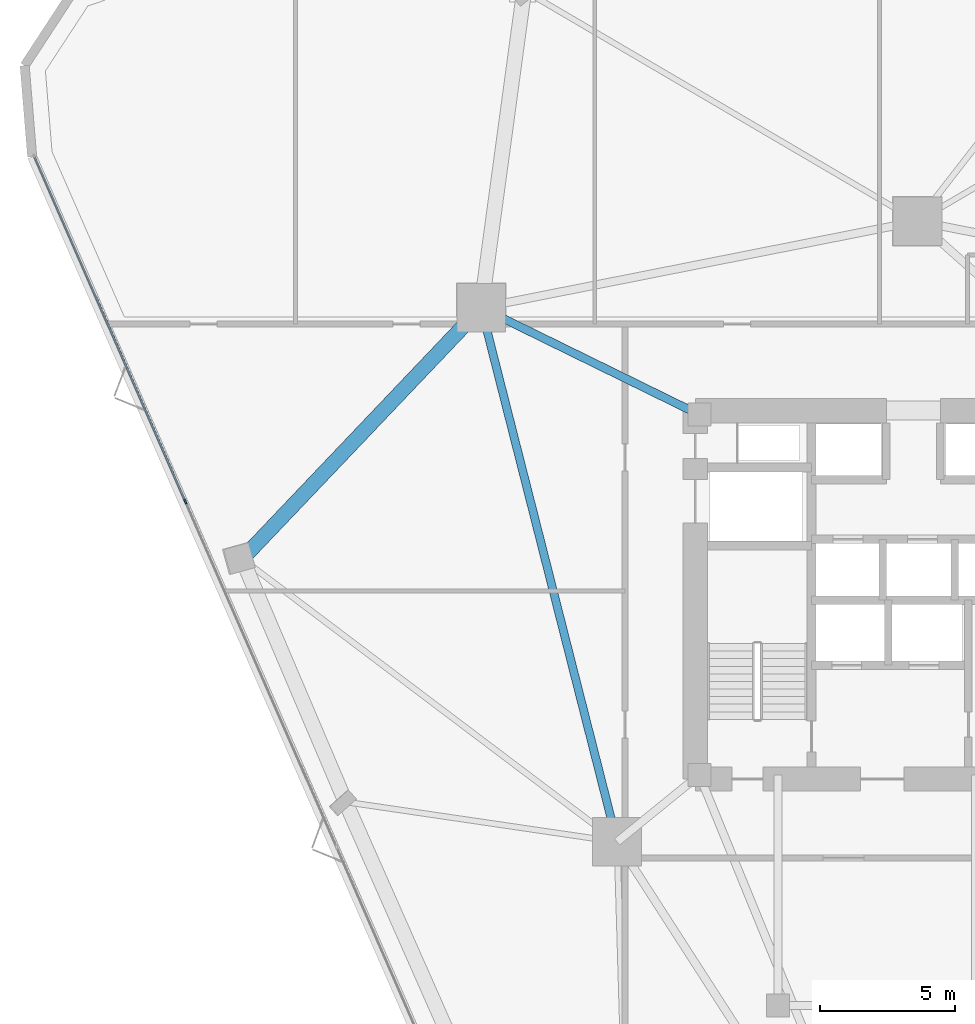
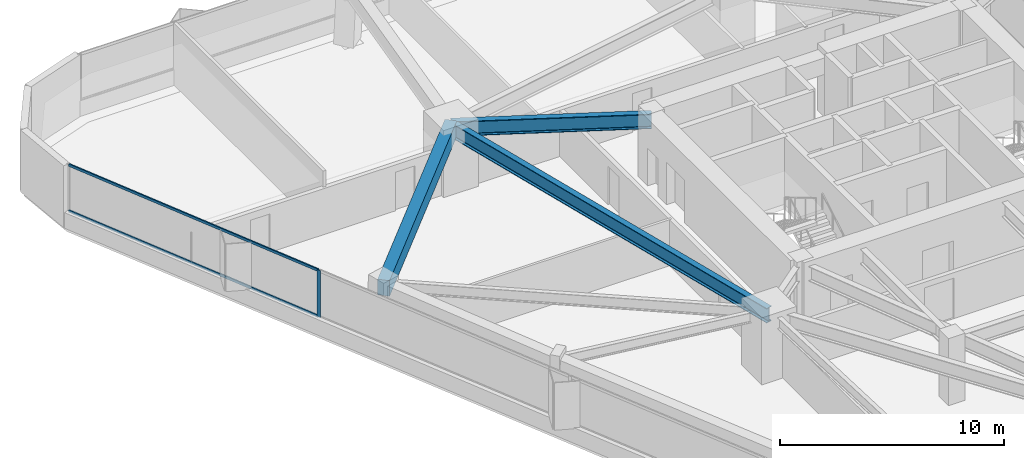
# One storey, part 8 of 21: 3 beams, 3 members, 1 element without a shape of its own.
"""IFC4 building model written with IfcOpenShell, lengths in metres."""

from ifc_helpers import new_model, si_unit, direction, frame, origin, origin_2d, place, context, subcontext, project, spatial, rectangle, i_section, extrude, material, layer, layer_set, material_profile, profile_set, type_object, element, aggregate, save


model = new_model("IFC4")

# Units and contexts
model_context = context("Model", 3, precision=1e-05, world=origin(), true_north=direction((0.0, 1.0)))
body_context = subcontext(model_context, "Body", "Model", "MODEL_VIEW")
ifc_project = project(units=[si_unit("LENGTHUNIT", "METRE"), si_unit("AREAUNIT", "SQUARE_METRE"), si_unit("VOLUMEUNIT", "CUBIC_METRE"), si_unit("PLANEANGLEUNIT", "RADIAN"), si_unit("MASSUNIT", "GRAM", prefix="KILO")], contexts=[model_context])

# Site, building, storey
site_placement = place(None, origin())
site = spatial("IfcSite", under=ifc_project, at=site_placement, CompositionType="ELEMENT")
building_placement = place(site_placement, origin())
building = spatial("IfcBuilding", under=site, at=building_placement, Name="Talyreon Biosciences Tower", CompositionType="ELEMENT")
storey_placement = place(building_placement, frame((0.0, 0.0, 55.64990234375)))
storey = spatial("IfcBuildingStorey", under=building, at=storey_placement, Name="L14", CompositionType="ELEMENT", Elevation=55.64990234375)

# Curtain wall, members
ifc_material_1 = material(Name="Thermally broken aluminium and low-E glazing", Category="aluminium")
ifc_layer = layer(ifc_material_1, 0.195068359375)
ifc_layer_set = layer_set([ifc_layer], Name="Thermally broken aluminium and low-E glazing")
curtain_wall_type = type_object("IfcCurtainWallType", Name="CurtainWall_Zone1WetLab", PredefinedType="NOTDEFINED", material=ifc_layer_set)
curtain_wall_placement = place(storey_placement, origin())
curtain_wall = element("IfcCurtainWall", 1, at=curtain_wall_placement, inside=storey, type_object=curtain_wall_type, Name="L14 Unitised Curtain Wall FCW-L14-00", PredefinedType="NOTDEFINED")
ifc_material_2 = material(Name="Anodised thermally broken aluminium", Category="aluminium")
ifc_material_profile_1 = material_profile(ifc_material_2, rectangle(XDim=0.06494140625, YDim=0.179931640625, at=origin_2d()), Name="ALUM MULLION 65x180")
ifc_profile_set_1 = profile_set([ifc_material_profile_1], Name="Anodised thermally broken aluminium")
member_type_1 = type_object("IfcMemberType", Name="CWMullion_65x180", PredefinedType="MULLION", material=ifc_profile_set_1)
member_1_placement = place(storey_placement, frame((38.977294921875, 71.4453125, 0.81005859375), z_axis=(0.0, 0.0, 1.0), x_axis=(-0.916092182361, -0.400967721165, 0.0)))
member_1 = element("IfcMember", 2, at=member_1_placement, type_object=member_type_1, Name="CW2 mullion 5", PredefinedType="MULLION", context=body_context, shape_type="SweptSolid", body=[
    extrude(rectangle(XDim=0.06494140625, YDim=0.179931640625, at=origin_2d()), origin(), (0.0, 0.0, 1.0), 2.56494140625),
])
ifc_material_profile_2 = material_profile(ifc_material_2, rectangle(XDim=0.06494140625, YDim=0.139892578125, at=origin_2d()), Name="ALUM TRANSOM 65x140")
ifc_profile_set_2 = profile_set([ifc_material_profile_2], Name="Anodised thermally broken aluminium")
member_type_2 = type_object("IfcMemberType", Name="CWTransom_65x140", PredefinedType="USERDEFINED", material=ifc_profile_set_2)
member_2_placement = place(storey_placement, frame((38.96435546875, 71.47509765625, 0.842529296875), z_axis=(-0.400982781264, 0.916085590504, 0.0), x_axis=(-0.916085590504, -0.400982781264, 0.0)))
member_2 = element("IfcMember", 3, at=member_2_placement, type_object=member_type_2, Name="CW2 transom 5.1", ObjectType="TRANSOM", PredefinedType="USERDEFINED", context=body_context, shape_type="SweptSolid", body=[
    extrude(rectangle(XDim=0.06494140625, YDim=0.139892578125, at=origin_2d()), origin(), (0.0, 0.0, 1.0), 13.826416015625),
])
member_3_placement = place(storey_placement, frame((38.96435546875, 71.47509765625, 3.342529296875), z_axis=(-0.400982781264, 0.916085590504, 0.0), x_axis=(-0.916085590504, -0.400982781264, 0.0)))
member_3 = element("IfcMember", 4, at=member_3_placement, type_object=member_type_2, Name="CW2 transom 5.2", ObjectType="TRANSOM", PredefinedType="USERDEFINED", context=body_context, shape_type="SweptSolid", body=[
    extrude(rectangle(XDim=0.06494140625, YDim=0.139892578125, at=origin_2d()), origin(), (0.0, 0.0, 1.0), 13.826416015625),
])
aggregate(curtain_wall, [member_1, member_2, member_3])

# Beams
ifc_material_3 = material(Name="Precast concrete C45/55", Category="concrete")
ifc_material_profile_3 = material_profile(ifc_material_3, rectangle(XDim=0.550048828125, YDim=0.85009765625, at=origin_2d()), Name="RCB 550x850")
ifc_profile_set_3 = profile_set([ifc_material_profile_3], Name="Precast concrete C45/55")
beam_type_1 = type_object("IfcBeamType", Name="ExpressedSpandrel_550x850", PredefinedType="SPANDREL", material=ifc_profile_set_3)
beam_1_placement = place(storey_placement, frame((49.897705078125, 78.5986328125, 2.9501953125), z_axis=(-0.689236475472, -0.724536459316, 0.0), x_axis=(0.724536459316, -0.689236475472, 0.0)))
element("IfcBeam", 5, at=beam_1_placement, inside=storey, type_object=beam_type_1, Name="L14 Expressed Horizontal Concrete Spandrel 09", PredefinedType="SPANDREL", context=body_context, shape_type="SweptSolid", body=[
    extrude(rectangle(XDim=0.550048828125, YDim=0.85009765625, at=origin_2d()), origin(), (0.0, 0.0, 1.0), 12.8017578125),
])
ifc_material_4 = material(Name="Steel SM355", Category="steel")
ifc_material_profile_4 = material_profile(ifc_material_4, i_section(OverallWidth=0.300048828125, OverallDepth=0.800048828125, WebThickness=0.017578125, FlangeThickness=0.032958984375, FilletRadius=0.030029296875, at=origin_2d()), Name="HE800B")
ifc_profile_set_4 = profile_set([ifc_material_profile_4], Name="Steel SM355")
beam_type_2 = type_object("IfcBeamType", Name="SteelGirder_HE800B", PredefinedType="BEAM", material=ifc_profile_set_4)
beam_2_placement = place(storey_placement, frame((49.897705078125, 78.5986328125, 2.97509765625), z_axis=(0.246537082299, -0.969133358755, 0.0), x_axis=(0.969133358755, 0.246537082299, 0.0)))
element("IfcBeam", 6, at=beam_2_placement, inside=storey, type_object=beam_type_2, Name="L14 Mega-Ring Girder 5", PredefinedType="BEAM", context=body_context, shape_type="SweptSolid", body=[
    extrude(i_section(OverallWidth=0.300048828125, OverallDepth=0.800048828125, WebThickness=0.017578125, FlangeThickness=0.032958984375, FilletRadius=0.030029296875, at=origin_2d()), origin(), (0.0, 0.0, 1.0), 20.34619140625),
])
beam_3_placement = place(storey_placement, frame((57.949951171875, 74.64990234375, 2.97509765625), z_axis=(-0.897852360314, 0.440296648952, 0.0), x_axis=(-0.440296648952, -0.897852360314, 0.0)))
element("IfcBeam", 7, at=beam_3_placement, inside=storey, type_object=beam_type_2, Name="L14 Radial Primary Girder 5", PredefinedType="BEAM", context=body_context, shape_type="SweptSolid", body=[
    extrude(i_section(OverallWidth=0.300048828125, OverallDepth=0.800048828125, WebThickness=0.017578125, FlangeThickness=0.032958984375, FilletRadius=0.030029296875, at=origin_2d()), origin(), (0.0, 0.0, 1.0), 8.96826171875),
])

save(model, "model.ifc")
